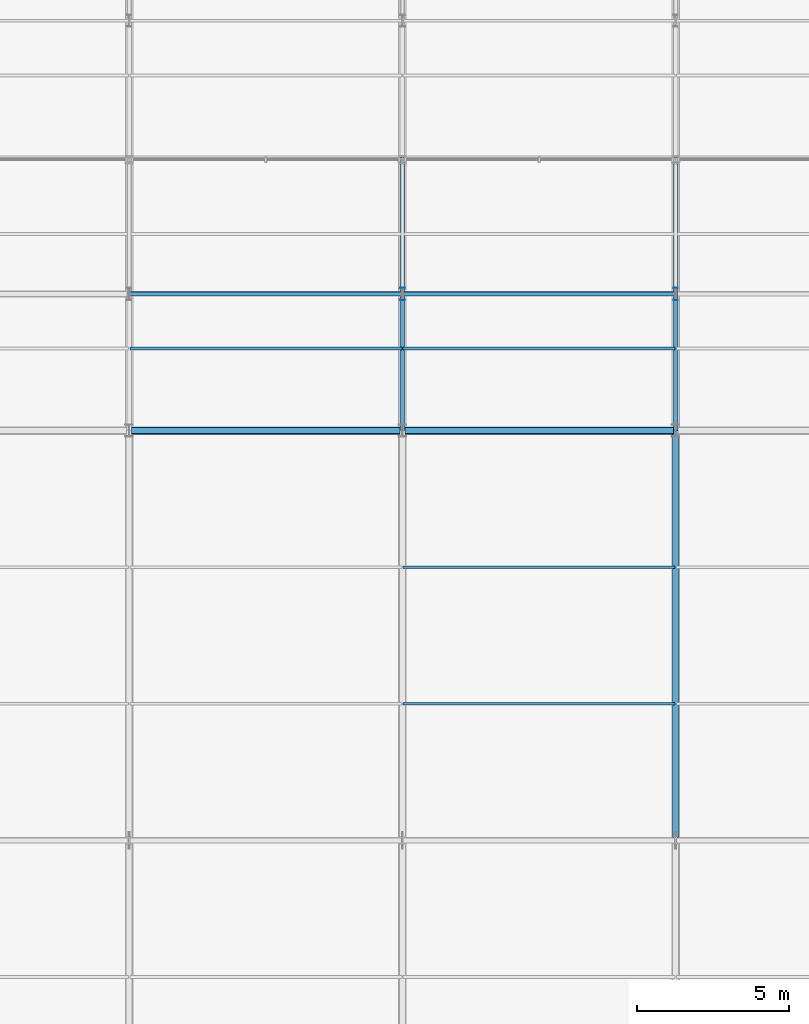
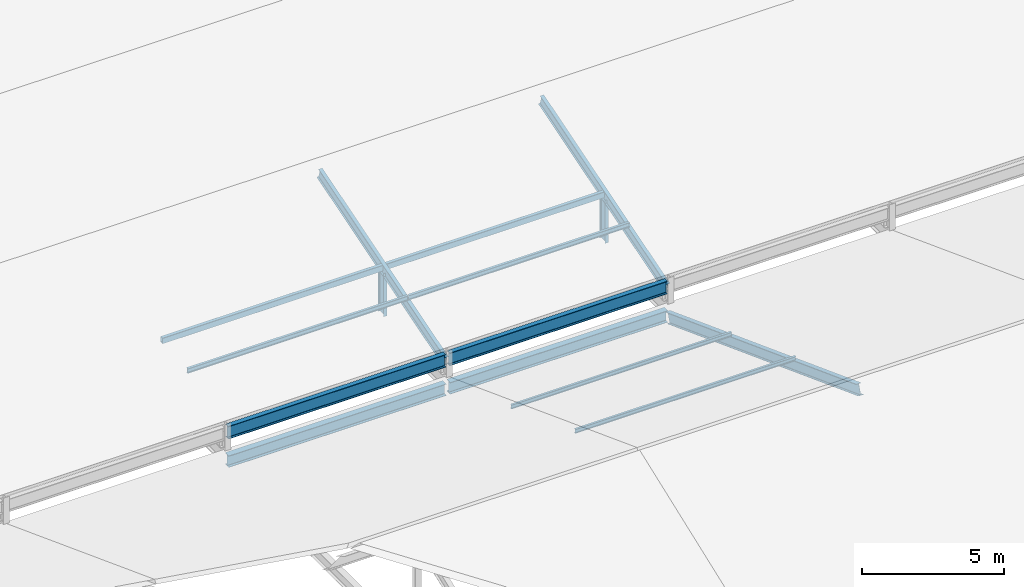
# One storey, part 45 of 163: 11 members, 4 beams.
"""IFC4 building model written with IfcOpenShell, lengths in metres."""

from ifc_helpers import new_model, si_unit, direction, frame, origin, origin_2d, place, context, subcontext, project, spatial, hollow_rectangle, i_section, extrude, material, material_profile, profile_set, type_object, element, save


model = new_model("IFC4")

# Units and contexts
model_context = context("Model", 3, precision=1e-05, world=origin(), true_north=direction((0.0, 1.0)))
body_context = subcontext(model_context, "Body", "Model", "MODEL_VIEW")
ifc_project = project(units=[si_unit("LENGTHUNIT", "METRE"), si_unit("AREAUNIT", "SQUARE_METRE"), si_unit("VOLUMEUNIT", "CUBIC_METRE"), si_unit("PLANEANGLEUNIT", "RADIAN"), si_unit("MASSUNIT", "GRAM", prefix="KILO")], contexts=[model_context])

# Site, building, storey
site_placement = place(None, origin())
site = spatial("IfcSite", under=ifc_project, at=site_placement, CompositionType="ELEMENT")
building_placement = place(site_placement, origin())
building = spatial("IfcBuilding", under=site, at=building_placement, Name="Tharagai Park Tramway Depot", CompositionType="ELEMENT")
storey_placement = place(building_placement, frame((0.0, 0.0, 8.39990234375)))
storey = spatial("IfcBuildingStorey", under=building, at=storey_placement, Name="L02", CompositionType="ELEMENT", Elevation=8.39990234375)

# Beams
ifc_material_1 = material(Name="Steel E350", Category="steel")
ifc_material_profile_1 = material_profile(ifc_material_1, i_section(OverallWidth=0.25, OverallDepth=0.5, WebThickness=0.010009765625, FlangeThickness=0.0146484375, FilletRadius=0.014892578125, at=origin_2d()), Name="ISWB 500")
ifc_profile_set_1 = profile_set([ifc_material_profile_1], Name="Steel E350")
beam_type_1 = type_object("IfcBeamType", Name="BM-08", PredefinedType="BEAM", material=ifc_profile_set_1)
for number, where, z_axis, x_axis, name in (
    (1, (45.080078125, 90.0, -0.5), (1.0, 0.0, 0.0), (0.0, 1.0, 0.0), "V2B Roof Eave Girder BM-08"),
    (2, (54.080078125, 90.0, -0.5), (1.0, 0.0, 0.0), (0.0, 1.0, 0.0), "V2B Roof Eave Girder BM-08"),
):
    element("IfcBeam", number, at=place(storey_placement, frame(where, z_axis=z_axis, x_axis=x_axis)), inside=storey, type_object=beam_type_1, Name=name, PredefinedType="BEAM", context=body_context, shape_type="SweptSolid", body=[
        extrude(i_section(OverallWidth=0.25, OverallDepth=0.5, WebThickness=0.010009765625, FlangeThickness=0.0146484375, FilletRadius=0.014892578125, at=origin_2d()), origin(), (0.0, 0.0, 1.0), 8.83984375),
    ])
ifc_material_profile_2 = material_profile(ifc_material_1, i_section(OverallWidth=0.18994140625, OverallDepth=0.550048828125, WebThickness=0.01123046875, FlangeThickness=0.019287109375, FilletRadius=0.01806640625, at=origin_2d()), Name="ISMB 550")
ifc_profile_set_2 = profile_set([ifc_material_profile_2], Name="Steel E350")
beam_type_2 = type_object("IfcBeamType", Name="BM-09", PredefinedType="BEAM", material=ifc_profile_set_2)
for number, where, z_axis, x_axis, name in (
    (3, (45.080078125, 90.0, 0.72509765625), (1.0, 0.0, 0.0), (0.0, 1.0, 0.0), "Sawtooth Valley Girder BM-09"),
    (4, (54.080078125, 90.0, 0.72509765625), (1.0, 0.0, 0.0), (0.0, 1.0, 0.0), "Sawtooth Valley Girder BM-09"),
):
    element("IfcBeam", number, at=place(storey_placement, frame(where, z_axis=z_axis, x_axis=x_axis)), inside=storey, type_object=beam_type_2, Name=name, PredefinedType="BEAM", context=body_context, shape_type="SweptSolid", body=[
        extrude(i_section(OverallWidth=0.18994140625, OverallDepth=0.550048828125, WebThickness=0.01123046875, FlangeThickness=0.019287109375, FilletRadius=0.01806640625, at=origin_2d()), origin(), (0.0, 0.0, 1.0), 8.83984375),
    ])

# Members
ifc_material_2 = material(Name="Steel E250", Category="steel")
ifc_material_profile_3 = material_profile(ifc_material_2, i_section(OverallWidth=0.090087890625, OverallDepth=0.175048828125, WebThickness=0.005615234375, FlangeThickness=0.009033203125, FilletRadius=0.010009765625, at=origin_2d()), Name="ISMB 175")
ifc_profile_set_3 = profile_set([ifc_material_profile_3], Name="Steel E250")
member_type_1 = type_object("IfcMemberType", Name="PR-01", PredefinedType="PURLIN", material=ifc_profile_set_3)
for number, where, z_axis, x_axis, name in (
    (5, (54.02001953125, 85.5, 1.398681640625), (1.0, 0.0, 0.0), (0.0, 1.0, 0.0), "V2B Roof Purlin PR-01"),
    (6, (54.02001953125, 81.0, 3.0810546875), (1.0, 0.0, 0.0), (0.0, 1.0, 0.0), "V2B Roof Purlin PR-01"),
):
    element("IfcMember", number, at=place(storey_placement, frame(where, z_axis=z_axis, x_axis=x_axis)), inside=storey, type_object=member_type_1, Name=name, PredefinedType="PURLIN", context=body_context, shape_type="SweptSolid", body=[
        extrude(i_section(OverallWidth=0.090087890625, OverallDepth=0.175048828125, WebThickness=0.005615234375, FlangeThickness=0.009033203125, FilletRadius=0.010009765625, at=origin_2d()), origin(), (0.0, 0.0, 1.0), 8.9599609375),
    ])
ifc_material_profile_4 = material_profile(ifc_material_2, i_section(OverallWidth=0.10009765625, OverallDepth=0.199951171875, WebThickness=0.005615234375, FlangeThickness=0.0107421875, FilletRadius=0.010986328125, at=origin_2d()), Name="ISMB 200")
ifc_profile_set_4 = profile_set([ifc_material_profile_4], Name="Steel E250")
member_type_2 = type_object("IfcMemberType", Name="PR-04", PredefinedType="PURLIN", material=ifc_profile_set_4)
for number, where, z_axis, x_axis, name in (
    (7, (45.02001953125, 92.699951171875, 1.733154296875), (1.0, 0.0, 0.0), (0.0, 1.0, 0.0), "Sawtooth Roof Purlin PR-04"),
    (8, (54.02001953125, 92.699951171875, 1.733154296875), (1.0, 0.0, 0.0), (0.0, 1.0, 0.0), "Sawtooth Roof Purlin PR-04"),
):
    element("IfcMember", number, at=place(storey_placement, frame(where, z_axis=z_axis, x_axis=x_axis)), inside=storey, type_object=member_type_2, Name=name, PredefinedType="PURLIN", context=body_context, shape_type="SweptSolid", body=[
        extrude(i_section(OverallWidth=0.10009765625, OverallDepth=0.199951171875, WebThickness=0.005615234375, FlangeThickness=0.0107421875, FilletRadius=0.010986328125, at=origin_2d()), origin(), (0.0, 0.0, 1.0), 8.9599609375),
    ])
ifc_material_profile_5 = material_profile(ifc_material_1, i_section(OverallWidth=0.199951171875, OverallDepth=0.449951171875, WebThickness=0.00927734375, FlangeThickness=0.015380859375, FilletRadius=0.014892578125, at=origin_2d()), Name="ISWB 450")
ifc_profile_set_5 = profile_set([ifc_material_profile_5], Name="Steel E350")
member_type_3 = type_object("IfcMemberType", Name="RF-03", PredefinedType="RAFTER", material=ifc_profile_set_5)
member_placement = place(storey_placement, frame((63.0, 76.5, 4.446044921875), z_axis=(0.0, 0.936246041069, -0.35134505914), x_axis=(-1.0, 0.0, 0.0)))
element("IfcMember", 9, at=member_placement, inside=storey, type_object=member_type_3, Name="V2B Pitched Rafter RF-03 North", PredefinedType="RAFTER", context=body_context, shape_type="SweptSolid", body=[
    extrude(i_section(OverallWidth=0.199951171875, OverallDepth=0.449951171875, WebThickness=0.00927734375, FlangeThickness=0.015380859375, FilletRadius=0.014892578125, at=origin_2d()), origin(), (0.0, 0.0, 1.0), 14.36572265625),
])
ifc_material_profile_6 = material_profile(ifc_material_1, hollow_rectangle(XDim=0.14990234375, YDim=0.25, WallThickness=0.008056640625, InnerFilletRadius=0.008056640625, OuterFilletRadius=0.01611328125, at=origin_2d()), Name="RHS 250x150x8")
ifc_profile_set_6 = profile_set([ifc_material_profile_6], Name="Steel E350")
member_type_4 = type_object("IfcMemberType", Name="TC-02", PredefinedType="CHORD", material=ifc_profile_set_6)
for number, where, z_axis, x_axis, name in (
    (10, (45.02001953125, 94.5, 1.946533203125), (1.0, 0.0, 0.0), (0.0, 1.0, 0.0), "Sawtooth Tubular Tie Strut TC-02"),
    (11, (54.02001953125, 94.5, 1.946533203125), (1.0, 0.0, 0.0), (0.0, 1.0, 0.0), "Sawtooth Tubular Tie Strut TC-02"),
):
    element("IfcMember", number, at=place(storey_placement, frame(where, z_axis=z_axis, x_axis=x_axis)), inside=storey, type_object=member_type_4, Name=name, PredefinedType="CHORD", context=body_context, shape_type="SweptSolid", body=[
        extrude(hollow_rectangle(XDim=0.14990234375, YDim=0.25, WallThickness=0.008056640625, InnerFilletRadius=0.008056640625, OuterFilletRadius=0.01611328125, at=origin_2d()), origin(), (0.0, 0.0, 1.0), 8.9599609375),
    ])
ifc_material_profile_7 = material_profile(ifc_material_1, i_section(OverallWidth=0.14990234375, OverallDepth=0.449951171875, WebThickness=0.009521484375, FlangeThickness=0.017333984375, FilletRadius=0.014892578125, at=origin_2d()), Name="ISMB 450")
ifc_profile_set_7 = profile_set([ifc_material_profile_7], Name="Steel E350")
member_type_5 = type_object("IfcMemberType", Name="TC-05", PredefinedType="CHORD", material=ifc_profile_set_7)
for number, where, z_axis, x_axis, name in (
    (12, (54.0, 90.06005859375, 0.587890625), (0.0, 0.956231486327, 0.29261125159), (-1.0, 0.0, 0.0), "Sawtooth Top Chord TC-05"),
    (13, (63.0, 90.06005859375, 0.587890625), (0.0, 0.956231486327, 0.29261125159), (-1.0, 0.0, 0.0), "Sawtooth Top Chord TC-05"),
):
    element("IfcMember", number, at=place(storey_placement, frame(where, z_axis=z_axis, x_axis=x_axis)), inside=storey, type_object=member_type_5, Name=name, PredefinedType="CHORD", context=body_context, shape_type="SweptSolid", body=[
        extrude(i_section(OverallWidth=0.14990234375, OverallDepth=0.449951171875, WebThickness=0.009521484375, FlangeThickness=0.017333984375, FilletRadius=0.014892578125, at=origin_2d()), origin(), (0.0, 0.0, 1.0), 9.286376953125),
    ])
ifc_material_profile_8 = material_profile(ifc_material_1, i_section(OverallWidth=0.139892578125, OverallDepth=0.39990234375, WebThickness=0.0087890625, FlangeThickness=0.01611328125, FilletRadius=0.013916015625, at=origin_2d()), Name="ISMB 400")
ifc_profile_set_8 = profile_set([ifc_material_profile_8], Name="Steel E350")
member_type_6 = type_object("IfcMemberType", Name="TC-06", PredefinedType="CHORD", material=ifc_profile_set_8)
for number, where, z_axis, x_axis, name in (
    (14, (54.0, 94.5, -0.0498046875), (0.0, 0.0, 1.0), (1.0, 0.0, 0.0), "Sawtooth Mid-Tooth Strut TC-06"),
    (15, (63.0, 94.5, -0.0498046875), (0.0, 0.0, 1.0), (1.0, 0.0, 0.0), "Sawtooth Mid-Tooth Strut TC-06"),
):
    element("IfcMember", number, at=place(storey_placement, frame(where, z_axis=z_axis, x_axis=x_axis)), inside=storey, type_object=member_type_6, Name=name, PredefinedType="CHORD", context=body_context, shape_type="SweptSolid", body=[
        extrude(i_section(OverallWidth=0.139892578125, OverallDepth=0.39990234375, WebThickness=0.0087890625, FlangeThickness=0.01611328125, FilletRadius=0.013916015625, at=origin_2d()), origin(), (0.0, 0.0, 1.0), 1.846435546875),
    ])

save(model, "model.ifc")
